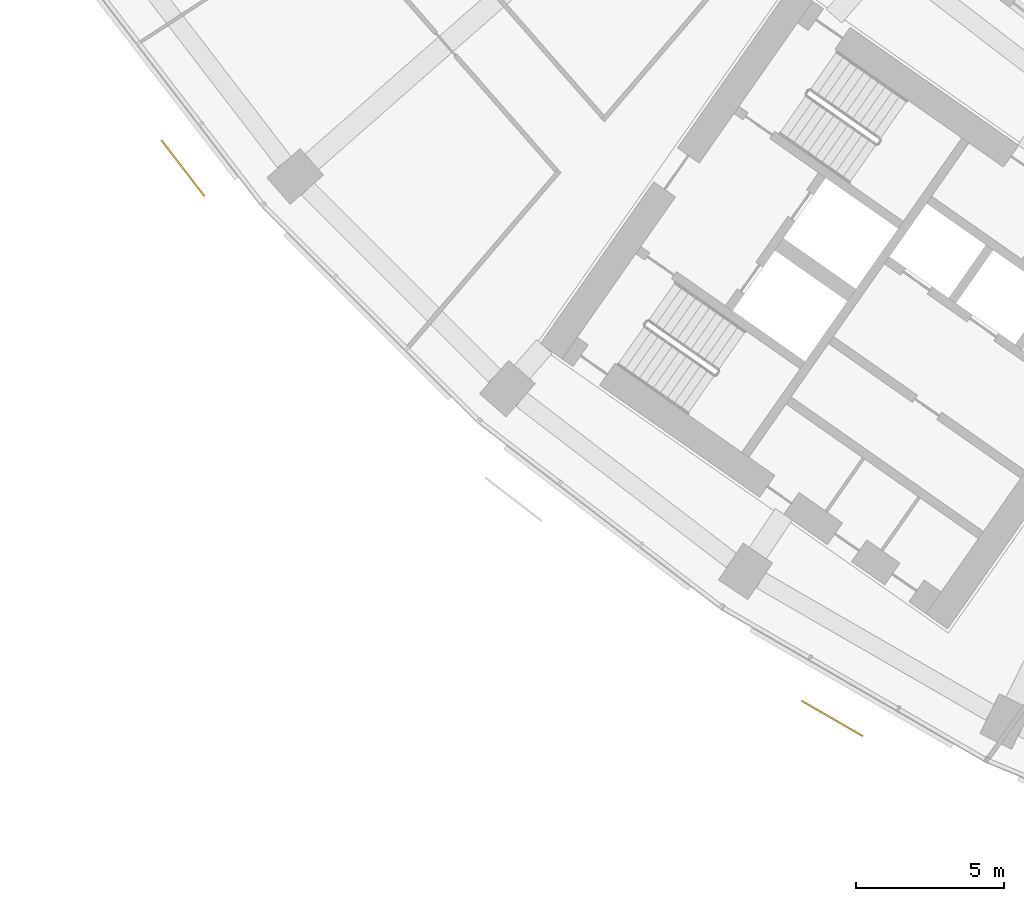
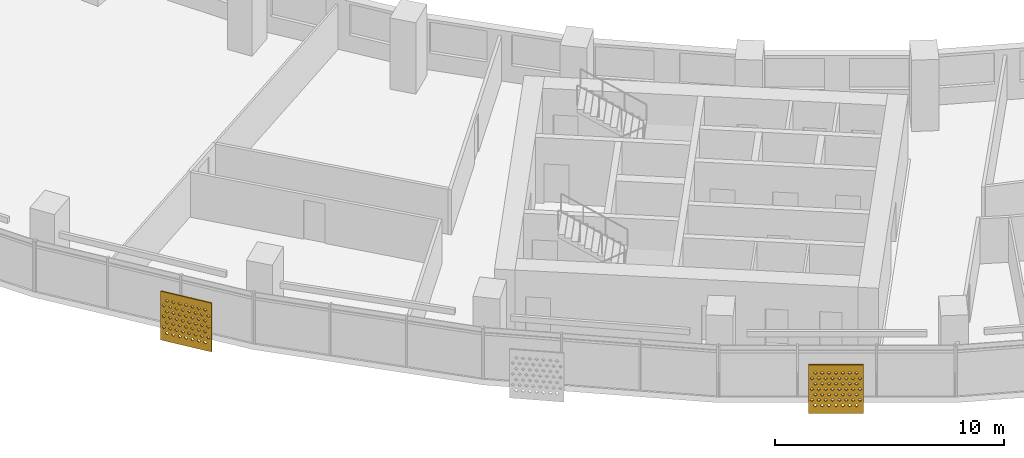
# One storey, part 23 of 29: 2 shading devices.
"""IFC4 building model written with IfcOpenShell, lengths in metres."""

from ifc_helpers import new_model, si_unit, direction, frame, origin, place, context, subcontext, project, spatial, polyline, outline, extrude, material, material_profile, profile_set, type_object, element, save


model = new_model("IFC4")

# Units and contexts
model_context = context("Model", 3, precision=1e-05, world=origin(), true_north=direction((0.0, 1.0)))
body_context = subcontext(model_context, "Body", "Model", "MODEL_VIEW")
ifc_project = project(units=[si_unit("LENGTHUNIT", "METRE"), si_unit("AREAUNIT", "SQUARE_METRE"), si_unit("VOLUMEUNIT", "CUBIC_METRE"), si_unit("PLANEANGLEUNIT", "RADIAN"), si_unit("MASSUNIT", "GRAM", prefix="KILO")], contexts=[model_context])

# Site, building, storey
site_placement = place(None, origin())
site = spatial("IfcSite", under=ifc_project, at=site_placement, CompositionType="ELEMENT")
building_placement = place(site_placement, origin())
building = spatial("IfcBuilding", under=site, at=building_placement, Name="Qamariyya Broadcast Tower", CompositionType="ELEMENT")
storey_placement = place(building_placement, frame((0.0, 0.0, 136.699951171875)))
storey = spatial("IfcBuildingStorey", under=building, at=storey_placement, Name="L31", CompositionType="ELEMENT", Elevation=136.699951171875)

# Shading devices
ifc_material = material(Name="Perforated glazed terracotta", Category="masonry")
ifc_material_profile = material_profile(ifc_material, outline(polyline([(-1.199951171875, -1.300048828125), (1.199951171875, -1.300048828125), (1.199951171875, 1.300048828125), (-1.199951171875, 1.300048828125), (-1.199951171875, -1.300048828125)]), holes=[polyline([(-0.81494140625, -0.86669921875), (-0.89990234375, -0.78173828125), (-0.985107421875, -0.86669921875), (-0.89990234375, -0.95166015625), (-0.81494140625, -0.86669921875)]), polyline([(-0.514892578125, -0.86669921875), (-0.60009765625, -0.78173828125), (-0.68505859375, -0.86669921875), (-0.60009765625, -0.95166015625), (-0.514892578125, -0.86669921875)]), polyline([(-0.215087890625, -0.86669921875), (-0.300048828125, -0.78173828125), (-0.385009765625, -0.86669921875), (-0.300048828125, -0.95166015625), (-0.215087890625, -0.86669921875)]), polyline([(0.0849609375, -0.86669921875), (0.0, -0.78173828125), (-0.0849609375, -0.86669921875), (0.0, -0.95166015625), (0.0849609375, -0.86669921875)]), polyline([(0.385009765625, -0.86669921875), (0.300048828125, -0.78173828125), (0.215087890625, -0.86669921875), (0.300048828125, -0.95166015625), (0.385009765625, -0.86669921875)]), polyline([(0.68505859375, -0.86669921875), (0.60009765625, -0.78173828125), (0.514892578125, -0.86669921875), (0.60009765625, -0.95166015625), (0.68505859375, -0.86669921875)]), polyline([(0.985107421875, -0.86669921875), (0.89990234375, -0.78173828125), (0.81494140625, -0.86669921875), (0.89990234375, -0.95166015625), (0.985107421875, -0.86669921875)]), polyline([(-0.965087890625, -0.577880859375), (-1.050048828125, -0.49267578125), (-1.135009765625, -0.577880859375), (-1.050048828125, -0.662841796875), (-0.965087890625, -0.577880859375)]), polyline([(-0.6650390625, -0.577880859375), (-0.75, -0.49267578125), (-0.8349609375, -0.577880859375), (-0.75, -0.662841796875), (-0.6650390625, -0.577880859375)]), polyline([(-0.364990234375, -0.577880859375), (-0.449951171875, -0.49267578125), (-0.534912109375, -0.577880859375), (-0.449951171875, -0.662841796875), (-0.364990234375, -0.577880859375)]), polyline([(-0.06494140625, -0.577880859375), (-0.14990234375, -0.49267578125), (-0.235107421875, -0.577880859375), (-0.14990234375, -0.662841796875), (-0.06494140625, -0.577880859375)]), polyline([(0.235107421875, -0.577880859375), (0.14990234375, -0.49267578125), (0.06494140625, -0.577880859375), (0.14990234375, -0.662841796875), (0.235107421875, -0.577880859375)]), polyline([(0.534912109375, -0.577880859375), (0.449951171875, -0.49267578125), (0.364990234375, -0.577880859375), (0.449951171875, -0.662841796875), (0.534912109375, -0.577880859375)]), polyline([(0.8349609375, -0.577880859375), (0.75, -0.49267578125), (0.6650390625, -0.577880859375), (0.75, -0.662841796875), (0.8349609375, -0.577880859375)]), polyline([(1.135009765625, -0.577880859375), (1.050048828125, -0.49267578125), (0.965087890625, -0.577880859375), (1.050048828125, -0.662841796875), (1.135009765625, -0.577880859375)]), polyline([(-0.81494140625, -0.288818359375), (-0.89990234375, -0.203857421875), (-0.985107421875, -0.288818359375), (-0.89990234375, -0.373779296875), (-0.81494140625, -0.288818359375)]), polyline([(-0.514892578125, -0.288818359375), (-0.60009765625, -0.203857421875), (-0.68505859375, -0.288818359375), (-0.60009765625, -0.373779296875), (-0.514892578125, -0.288818359375)]), polyline([(-0.215087890625, -0.288818359375), (-0.300048828125, -0.203857421875), (-0.385009765625, -0.288818359375), (-0.300048828125, -0.373779296875), (-0.215087890625, -0.288818359375)]), polyline([(0.0849609375, -0.288818359375), (0.0, -0.203857421875), (-0.0849609375, -0.288818359375), (0.0, -0.373779296875), (0.0849609375, -0.288818359375)]), polyline([(0.385009765625, -0.288818359375), (0.300048828125, -0.203857421875), (0.215087890625, -0.288818359375), (0.300048828125, -0.373779296875), (0.385009765625, -0.288818359375)]), polyline([(0.68505859375, -0.288818359375), (0.60009765625, -0.203857421875), (0.514892578125, -0.288818359375), (0.60009765625, -0.373779296875), (0.68505859375, -0.288818359375)]), polyline([(0.985107421875, -0.288818359375), (0.89990234375, -0.203857421875), (0.81494140625, -0.288818359375), (0.89990234375, -0.373779296875), (0.985107421875, -0.288818359375)]), polyline([(-0.965087890625, 0.0), (-1.050048828125, 0.0849609375), (-1.135009765625, 0.0), (-1.050048828125, -0.0849609375), (-0.965087890625, 0.0)]), polyline([(-0.6650390625, 0.0), (-0.75, 0.0849609375), (-0.8349609375, 0.0), (-0.75, -0.0849609375), (-0.6650390625, 0.0)]), polyline([(-0.364990234375, 0.0), (-0.449951171875, 0.0849609375), (-0.534912109375, 0.0), (-0.449951171875, -0.0849609375), (-0.364990234375, 0.0)]), polyline([(-0.06494140625, 0.0), (-0.14990234375, 0.0849609375), (-0.235107421875, 0.0), (-0.14990234375, -0.0849609375), (-0.06494140625, 0.0)]), polyline([(0.235107421875, 0.0), (0.14990234375, 0.0849609375), (0.06494140625, 0.0), (0.14990234375, -0.0849609375), (0.235107421875, 0.0)]), polyline([(0.534912109375, 0.0), (0.449951171875, 0.0849609375), (0.364990234375, 0.0), (0.449951171875, -0.0849609375), (0.534912109375, 0.0)]), polyline([(0.8349609375, 0.0), (0.75, 0.0849609375), (0.6650390625, 0.0), (0.75, -0.0849609375), (0.8349609375, 0.0)]), polyline([(1.135009765625, 0.0), (1.050048828125, 0.0849609375), (0.965087890625, 0.0), (1.050048828125, -0.0849609375), (1.135009765625, 0.0)]), polyline([(-0.81494140625, 0.288818359375), (-0.89990234375, 0.373779296875), (-0.985107421875, 0.288818359375), (-0.89990234375, 0.203857421875), (-0.81494140625, 0.288818359375)]), polyline([(-0.514892578125, 0.288818359375), (-0.60009765625, 0.373779296875), (-0.68505859375, 0.288818359375), (-0.60009765625, 0.203857421875), (-0.514892578125, 0.288818359375)]), polyline([(-0.215087890625, 0.288818359375), (-0.300048828125, 0.373779296875), (-0.385009765625, 0.288818359375), (-0.300048828125, 0.203857421875), (-0.215087890625, 0.288818359375)]), polyline([(0.0849609375, 0.288818359375), (0.0, 0.373779296875), (-0.0849609375, 0.288818359375), (0.0, 0.203857421875), (0.0849609375, 0.288818359375)]), polyline([(0.385009765625, 0.288818359375), (0.300048828125, 0.373779296875), (0.215087890625, 0.288818359375), (0.300048828125, 0.203857421875), (0.385009765625, 0.288818359375)]), polyline([(0.68505859375, 0.288818359375), (0.60009765625, 0.373779296875), (0.514892578125, 0.288818359375), (0.60009765625, 0.203857421875), (0.68505859375, 0.288818359375)]), polyline([(0.985107421875, 0.288818359375), (0.89990234375, 0.373779296875), (0.81494140625, 0.288818359375), (0.89990234375, 0.203857421875), (0.985107421875, 0.288818359375)]), polyline([(-0.965087890625, 0.577880859375), (-1.050048828125, 0.662841796875), (-1.135009765625, 0.577880859375), (-1.050048828125, 0.49267578125), (-0.965087890625, 0.577880859375)]), polyline([(-0.6650390625, 0.577880859375), (-0.75, 0.662841796875), (-0.8349609375, 0.577880859375), (-0.75, 0.49267578125), (-0.6650390625, 0.577880859375)]), polyline([(-0.364990234375, 0.577880859375), (-0.449951171875, 0.662841796875), (-0.534912109375, 0.577880859375), (-0.449951171875, 0.49267578125), (-0.364990234375, 0.577880859375)]), polyline([(-0.06494140625, 0.577880859375), (-0.14990234375, 0.662841796875), (-0.235107421875, 0.577880859375), (-0.14990234375, 0.49267578125), (-0.06494140625, 0.577880859375)]), polyline([(0.235107421875, 0.577880859375), (0.14990234375, 0.662841796875), (0.06494140625, 0.577880859375), (0.14990234375, 0.49267578125), (0.235107421875, 0.577880859375)]), polyline([(0.534912109375, 0.577880859375), (0.449951171875, 0.662841796875), (0.364990234375, 0.577880859375), (0.449951171875, 0.49267578125), (0.534912109375, 0.577880859375)]), polyline([(0.8349609375, 0.577880859375), (0.75, 0.662841796875), (0.6650390625, 0.577880859375), (0.75, 0.49267578125), (0.8349609375, 0.577880859375)]), polyline([(1.135009765625, 0.577880859375), (1.050048828125, 0.662841796875), (0.965087890625, 0.577880859375), (1.050048828125, 0.49267578125), (1.135009765625, 0.577880859375)]), polyline([(-0.81494140625, 0.86669921875), (-0.89990234375, 0.95166015625), (-0.985107421875, 0.86669921875), (-0.89990234375, 0.78173828125), (-0.81494140625, 0.86669921875)]), polyline([(-0.514892578125, 0.86669921875), (-0.60009765625, 0.95166015625), (-0.68505859375, 0.86669921875), (-0.60009765625, 0.78173828125), (-0.514892578125, 0.86669921875)]), polyline([(-0.215087890625, 0.86669921875), (-0.300048828125, 0.95166015625), (-0.385009765625, 0.86669921875), (-0.300048828125, 0.78173828125), (-0.215087890625, 0.86669921875)]), polyline([(0.0849609375, 0.86669921875), (0.0, 0.95166015625), (-0.0849609375, 0.86669921875), (0.0, 0.78173828125), (0.0849609375, 0.86669921875)]), polyline([(0.385009765625, 0.86669921875), (0.300048828125, 0.95166015625), (0.215087890625, 0.86669921875), (0.300048828125, 0.78173828125), (0.385009765625, 0.86669921875)]), polyline([(0.68505859375, 0.86669921875), (0.60009765625, 0.95166015625), (0.514892578125, 0.86669921875), (0.60009765625, 0.78173828125), (0.68505859375, 0.86669921875)]), polyline([(0.985107421875, 0.86669921875), (0.89990234375, 0.95166015625), (0.81494140625, 0.86669921875), (0.89990234375, 0.78173828125), (0.985107421875, 0.86669921875)])]))
ifc_profile_set = profile_set([ifc_material_profile], Name="Perforated glazed terracotta")
shading_device_type = type_object("IfcShadingDeviceType", Name="Perforated terracotta screen 2400 x 2600", PredefinedType="USERDEFINED", material=ifc_profile_set)
shading_device_1_placement = place(storey_placement, frame((-62.235595703125, -50.96484375, 1.35009765625), z_axis=(-0.792623989105, -0.60971076085, 0.0), x_axis=(0.60971076085, -0.792623989105, 0.0)))
element("IfcShadingDevice", 1, at=shading_device_1_placement, inside=storey, type_object=shading_device_type, Name="e-scr-L31-02-2", ObjectType="SCREEN", PredefinedType="USERDEFINED", context=body_context, shape_type="SweptSolid", body=[
    extrude(outline(polyline([(-1.199951171875, -1.300048828125), (1.199951171875, -1.300048828125), (1.199951171875, 1.300048828125), (-1.199951171875, 1.300048828125), (-1.199951171875, -1.300048828125)]), holes=[polyline([(-0.81494140625, -0.86669921875), (-0.89990234375, -0.78173828125), (-0.985107421875, -0.86669921875), (-0.89990234375, -0.95166015625), (-0.81494140625, -0.86669921875)]), polyline([(-0.514892578125, -0.86669921875), (-0.60009765625, -0.78173828125), (-0.68505859375, -0.86669921875), (-0.60009765625, -0.95166015625), (-0.514892578125, -0.86669921875)]), polyline([(-0.215087890625, -0.86669921875), (-0.300048828125, -0.78173828125), (-0.385009765625, -0.86669921875), (-0.300048828125, -0.95166015625), (-0.215087890625, -0.86669921875)]), polyline([(0.0849609375, -0.86669921875), (0.0, -0.78173828125), (-0.0849609375, -0.86669921875), (0.0, -0.95166015625), (0.0849609375, -0.86669921875)]), polyline([(0.385009765625, -0.86669921875), (0.300048828125, -0.78173828125), (0.215087890625, -0.86669921875), (0.300048828125, -0.95166015625), (0.385009765625, -0.86669921875)]), polyline([(0.68505859375, -0.86669921875), (0.60009765625, -0.78173828125), (0.514892578125, -0.86669921875), (0.60009765625, -0.95166015625), (0.68505859375, -0.86669921875)]), polyline([(0.985107421875, -0.86669921875), (0.89990234375, -0.78173828125), (0.81494140625, -0.86669921875), (0.89990234375, -0.95166015625), (0.985107421875, -0.86669921875)]), polyline([(-0.965087890625, -0.577880859375), (-1.050048828125, -0.49267578125), (-1.135009765625, -0.577880859375), (-1.050048828125, -0.662841796875), (-0.965087890625, -0.577880859375)]), polyline([(-0.6650390625, -0.577880859375), (-0.75, -0.49267578125), (-0.8349609375, -0.577880859375), (-0.75, -0.662841796875), (-0.6650390625, -0.577880859375)]), polyline([(-0.364990234375, -0.577880859375), (-0.449951171875, -0.49267578125), (-0.534912109375, -0.577880859375), (-0.449951171875, -0.662841796875), (-0.364990234375, -0.577880859375)]), polyline([(-0.06494140625, -0.577880859375), (-0.14990234375, -0.49267578125), (-0.235107421875, -0.577880859375), (-0.14990234375, -0.662841796875), (-0.06494140625, -0.577880859375)]), polyline([(0.235107421875, -0.577880859375), (0.14990234375, -0.49267578125), (0.06494140625, -0.577880859375), (0.14990234375, -0.662841796875), (0.235107421875, -0.577880859375)]), polyline([(0.534912109375, -0.577880859375), (0.449951171875, -0.49267578125), (0.364990234375, -0.577880859375), (0.449951171875, -0.662841796875), (0.534912109375, -0.577880859375)]), polyline([(0.8349609375, -0.577880859375), (0.75, -0.49267578125), (0.6650390625, -0.577880859375), (0.75, -0.662841796875), (0.8349609375, -0.577880859375)]), polyline([(1.135009765625, -0.577880859375), (1.050048828125, -0.49267578125), (0.965087890625, -0.577880859375), (1.050048828125, -0.662841796875), (1.135009765625, -0.577880859375)]), polyline([(-0.81494140625, -0.288818359375), (-0.89990234375, -0.203857421875), (-0.985107421875, -0.288818359375), (-0.89990234375, -0.373779296875), (-0.81494140625, -0.288818359375)]), polyline([(-0.514892578125, -0.288818359375), (-0.60009765625, -0.203857421875), (-0.68505859375, -0.288818359375), (-0.60009765625, -0.373779296875), (-0.514892578125, -0.288818359375)]), polyline([(-0.215087890625, -0.288818359375), (-0.300048828125, -0.203857421875), (-0.385009765625, -0.288818359375), (-0.300048828125, -0.373779296875), (-0.215087890625, -0.288818359375)]), polyline([(0.0849609375, -0.288818359375), (0.0, -0.203857421875), (-0.0849609375, -0.288818359375), (0.0, -0.373779296875), (0.0849609375, -0.288818359375)]), polyline([(0.385009765625, -0.288818359375), (0.300048828125, -0.203857421875), (0.215087890625, -0.288818359375), (0.300048828125, -0.373779296875), (0.385009765625, -0.288818359375)]), polyline([(0.68505859375, -0.288818359375), (0.60009765625, -0.203857421875), (0.514892578125, -0.288818359375), (0.60009765625, -0.373779296875), (0.68505859375, -0.288818359375)]), polyline([(0.985107421875, -0.288818359375), (0.89990234375, -0.203857421875), (0.81494140625, -0.288818359375), (0.89990234375, -0.373779296875), (0.985107421875, -0.288818359375)]), polyline([(-0.965087890625, 0.0), (-1.050048828125, 0.0849609375), (-1.135009765625, 0.0), (-1.050048828125, -0.0849609375), (-0.965087890625, 0.0)]), polyline([(-0.6650390625, 0.0), (-0.75, 0.0849609375), (-0.8349609375, 0.0), (-0.75, -0.0849609375), (-0.6650390625, 0.0)]), polyline([(-0.364990234375, 0.0), (-0.449951171875, 0.0849609375), (-0.534912109375, 0.0), (-0.449951171875, -0.0849609375), (-0.364990234375, 0.0)]), polyline([(-0.06494140625, 0.0), (-0.14990234375, 0.0849609375), (-0.235107421875, 0.0), (-0.14990234375, -0.0849609375), (-0.06494140625, 0.0)]), polyline([(0.235107421875, 0.0), (0.14990234375, 0.0849609375), (0.06494140625, 0.0), (0.14990234375, -0.0849609375), (0.235107421875, 0.0)]), polyline([(0.534912109375, 0.0), (0.449951171875, 0.0849609375), (0.364990234375, 0.0), (0.449951171875, -0.0849609375), (0.534912109375, 0.0)]), polyline([(0.8349609375, 0.0), (0.75, 0.0849609375), (0.6650390625, 0.0), (0.75, -0.0849609375), (0.8349609375, 0.0)]), polyline([(1.135009765625, 0.0), (1.050048828125, 0.0849609375), (0.965087890625, 0.0), (1.050048828125, -0.0849609375), (1.135009765625, 0.0)]), polyline([(-0.81494140625, 0.288818359375), (-0.89990234375, 0.373779296875), (-0.985107421875, 0.288818359375), (-0.89990234375, 0.203857421875), (-0.81494140625, 0.288818359375)]), polyline([(-0.514892578125, 0.288818359375), (-0.60009765625, 0.373779296875), (-0.68505859375, 0.288818359375), (-0.60009765625, 0.203857421875), (-0.514892578125, 0.288818359375)]), polyline([(-0.215087890625, 0.288818359375), (-0.300048828125, 0.373779296875), (-0.385009765625, 0.288818359375), (-0.300048828125, 0.203857421875), (-0.215087890625, 0.288818359375)]), polyline([(0.0849609375, 0.288818359375), (0.0, 0.373779296875), (-0.0849609375, 0.288818359375), (0.0, 0.203857421875), (0.0849609375, 0.288818359375)]), polyline([(0.385009765625, 0.288818359375), (0.300048828125, 0.373779296875), (0.215087890625, 0.288818359375), (0.300048828125, 0.203857421875), (0.385009765625, 0.288818359375)]), polyline([(0.68505859375, 0.288818359375), (0.60009765625, 0.373779296875), (0.514892578125, 0.288818359375), (0.60009765625, 0.203857421875), (0.68505859375, 0.288818359375)]), polyline([(0.985107421875, 0.288818359375), (0.89990234375, 0.373779296875), (0.81494140625, 0.288818359375), (0.89990234375, 0.203857421875), (0.985107421875, 0.288818359375)]), polyline([(-0.965087890625, 0.577880859375), (-1.050048828125, 0.662841796875), (-1.135009765625, 0.577880859375), (-1.050048828125, 0.49267578125), (-0.965087890625, 0.577880859375)]), polyline([(-0.6650390625, 0.577880859375), (-0.75, 0.662841796875), (-0.8349609375, 0.577880859375), (-0.75, 0.49267578125), (-0.6650390625, 0.577880859375)]), polyline([(-0.364990234375, 0.577880859375), (-0.449951171875, 0.662841796875), (-0.534912109375, 0.577880859375), (-0.449951171875, 0.49267578125), (-0.364990234375, 0.577880859375)]), polyline([(-0.06494140625, 0.577880859375), (-0.14990234375, 0.662841796875), (-0.235107421875, 0.577880859375), (-0.14990234375, 0.49267578125), (-0.06494140625, 0.577880859375)]), polyline([(0.235107421875, 0.577880859375), (0.14990234375, 0.662841796875), (0.06494140625, 0.577880859375), (0.14990234375, 0.49267578125), (0.235107421875, 0.577880859375)]), polyline([(0.534912109375, 0.577880859375), (0.449951171875, 0.662841796875), (0.364990234375, 0.577880859375), (0.449951171875, 0.49267578125), (0.534912109375, 0.577880859375)]), polyline([(0.8349609375, 0.577880859375), (0.75, 0.662841796875), (0.6650390625, 0.577880859375), (0.75, 0.49267578125), (0.8349609375, 0.577880859375)]), polyline([(1.135009765625, 0.577880859375), (1.050048828125, 0.662841796875), (0.965087890625, 0.577880859375), (1.050048828125, 0.49267578125), (1.135009765625, 0.577880859375)]), polyline([(-0.81494140625, 0.86669921875), (-0.89990234375, 0.95166015625), (-0.985107421875, 0.86669921875), (-0.89990234375, 0.78173828125), (-0.81494140625, 0.86669921875)]), polyline([(-0.514892578125, 0.86669921875), (-0.60009765625, 0.95166015625), (-0.68505859375, 0.86669921875), (-0.60009765625, 0.78173828125), (-0.514892578125, 0.86669921875)]), polyline([(-0.215087890625, 0.86669921875), (-0.300048828125, 0.95166015625), (-0.385009765625, 0.86669921875), (-0.300048828125, 0.78173828125), (-0.215087890625, 0.86669921875)]), polyline([(0.0849609375, 0.86669921875), (0.0, 0.95166015625), (-0.0849609375, 0.86669921875), (0.0, 0.78173828125), (0.0849609375, 0.86669921875)]), polyline([(0.385009765625, 0.86669921875), (0.300048828125, 0.95166015625), (0.215087890625, 0.86669921875), (0.300048828125, 0.78173828125), (0.385009765625, 0.86669921875)]), polyline([(0.68505859375, 0.86669921875), (0.60009765625, 0.95166015625), (0.514892578125, 0.86669921875), (0.60009765625, 0.78173828125), (0.68505859375, 0.86669921875)]), polyline([(0.985107421875, 0.86669921875), (0.89990234375, 0.95166015625), (0.81494140625, 0.86669921875), (0.89990234375, 0.78173828125), (0.985107421875, 0.86669921875)])]), origin(), (0.0, 0.0, 1.0), 0.06005859375),
])
shading_device_2_placement = place(storey_placement, frame((-40.240478515625, -69.605224609375, 1.35009765625), z_axis=(-0.500074377092, -0.865982457891, 0.0), x_axis=(0.865982457891, -0.500074377092, 0.0)))
element("IfcShadingDevice", 2, at=shading_device_2_placement, inside=storey, type_object=shading_device_type, Name="e-scr-L31-05-1", ObjectType="SCREEN", PredefinedType="USERDEFINED", context=body_context, shape_type="SweptSolid", body=[
    extrude(outline(polyline([(-1.199951171875, -1.300048828125), (1.199951171875, -1.300048828125), (1.199951171875, 1.300048828125), (-1.199951171875, 1.300048828125), (-1.199951171875, -1.300048828125)]), holes=[polyline([(-0.81494140625, -0.86669921875), (-0.89990234375, -0.78173828125), (-0.985107421875, -0.86669921875), (-0.89990234375, -0.95166015625), (-0.81494140625, -0.86669921875)]), polyline([(-0.514892578125, -0.86669921875), (-0.60009765625, -0.78173828125), (-0.68505859375, -0.86669921875), (-0.60009765625, -0.95166015625), (-0.514892578125, -0.86669921875)]), polyline([(-0.215087890625, -0.86669921875), (-0.300048828125, -0.78173828125), (-0.385009765625, -0.86669921875), (-0.300048828125, -0.95166015625), (-0.215087890625, -0.86669921875)]), polyline([(0.0849609375, -0.86669921875), (0.0, -0.78173828125), (-0.0849609375, -0.86669921875), (0.0, -0.95166015625), (0.0849609375, -0.86669921875)]), polyline([(0.385009765625, -0.86669921875), (0.300048828125, -0.78173828125), (0.215087890625, -0.86669921875), (0.300048828125, -0.95166015625), (0.385009765625, -0.86669921875)]), polyline([(0.68505859375, -0.86669921875), (0.60009765625, -0.78173828125), (0.514892578125, -0.86669921875), (0.60009765625, -0.95166015625), (0.68505859375, -0.86669921875)]), polyline([(0.985107421875, -0.86669921875), (0.89990234375, -0.78173828125), (0.81494140625, -0.86669921875), (0.89990234375, -0.95166015625), (0.985107421875, -0.86669921875)]), polyline([(-0.965087890625, -0.577880859375), (-1.050048828125, -0.49267578125), (-1.135009765625, -0.577880859375), (-1.050048828125, -0.662841796875), (-0.965087890625, -0.577880859375)]), polyline([(-0.6650390625, -0.577880859375), (-0.75, -0.49267578125), (-0.8349609375, -0.577880859375), (-0.75, -0.662841796875), (-0.6650390625, -0.577880859375)]), polyline([(-0.364990234375, -0.577880859375), (-0.449951171875, -0.49267578125), (-0.534912109375, -0.577880859375), (-0.449951171875, -0.662841796875), (-0.364990234375, -0.577880859375)]), polyline([(-0.06494140625, -0.577880859375), (-0.14990234375, -0.49267578125), (-0.235107421875, -0.577880859375), (-0.14990234375, -0.662841796875), (-0.06494140625, -0.577880859375)]), polyline([(0.235107421875, -0.577880859375), (0.14990234375, -0.49267578125), (0.06494140625, -0.577880859375), (0.14990234375, -0.662841796875), (0.235107421875, -0.577880859375)]), polyline([(0.534912109375, -0.577880859375), (0.449951171875, -0.49267578125), (0.364990234375, -0.577880859375), (0.449951171875, -0.662841796875), (0.534912109375, -0.577880859375)]), polyline([(0.8349609375, -0.577880859375), (0.75, -0.49267578125), (0.6650390625, -0.577880859375), (0.75, -0.662841796875), (0.8349609375, -0.577880859375)]), polyline([(1.135009765625, -0.577880859375), (1.050048828125, -0.49267578125), (0.965087890625, -0.577880859375), (1.050048828125, -0.662841796875), (1.135009765625, -0.577880859375)]), polyline([(-0.81494140625, -0.288818359375), (-0.89990234375, -0.203857421875), (-0.985107421875, -0.288818359375), (-0.89990234375, -0.373779296875), (-0.81494140625, -0.288818359375)]), polyline([(-0.514892578125, -0.288818359375), (-0.60009765625, -0.203857421875), (-0.68505859375, -0.288818359375), (-0.60009765625, -0.373779296875), (-0.514892578125, -0.288818359375)]), polyline([(-0.215087890625, -0.288818359375), (-0.300048828125, -0.203857421875), (-0.385009765625, -0.288818359375), (-0.300048828125, -0.373779296875), (-0.215087890625, -0.288818359375)]), polyline([(0.0849609375, -0.288818359375), (0.0, -0.203857421875), (-0.0849609375, -0.288818359375), (0.0, -0.373779296875), (0.0849609375, -0.288818359375)]), polyline([(0.385009765625, -0.288818359375), (0.300048828125, -0.203857421875), (0.215087890625, -0.288818359375), (0.300048828125, -0.373779296875), (0.385009765625, -0.288818359375)]), polyline([(0.68505859375, -0.288818359375), (0.60009765625, -0.203857421875), (0.514892578125, -0.288818359375), (0.60009765625, -0.373779296875), (0.68505859375, -0.288818359375)]), polyline([(0.985107421875, -0.288818359375), (0.89990234375, -0.203857421875), (0.81494140625, -0.288818359375), (0.89990234375, -0.373779296875), (0.985107421875, -0.288818359375)]), polyline([(-0.965087890625, 0.0), (-1.050048828125, 0.0849609375), (-1.135009765625, 0.0), (-1.050048828125, -0.0849609375), (-0.965087890625, 0.0)]), polyline([(-0.6650390625, 0.0), (-0.75, 0.0849609375), (-0.8349609375, 0.0), (-0.75, -0.0849609375), (-0.6650390625, 0.0)]), polyline([(-0.364990234375, 0.0), (-0.449951171875, 0.0849609375), (-0.534912109375, 0.0), (-0.449951171875, -0.0849609375), (-0.364990234375, 0.0)]), polyline([(-0.06494140625, 0.0), (-0.14990234375, 0.0849609375), (-0.235107421875, 0.0), (-0.14990234375, -0.0849609375), (-0.06494140625, 0.0)]), polyline([(0.235107421875, 0.0), (0.14990234375, 0.0849609375), (0.06494140625, 0.0), (0.14990234375, -0.0849609375), (0.235107421875, 0.0)]), polyline([(0.534912109375, 0.0), (0.449951171875, 0.0849609375), (0.364990234375, 0.0), (0.449951171875, -0.0849609375), (0.534912109375, 0.0)]), polyline([(0.8349609375, 0.0), (0.75, 0.0849609375), (0.6650390625, 0.0), (0.75, -0.0849609375), (0.8349609375, 0.0)]), polyline([(1.135009765625, 0.0), (1.050048828125, 0.0849609375), (0.965087890625, 0.0), (1.050048828125, -0.0849609375), (1.135009765625, 0.0)]), polyline([(-0.81494140625, 0.288818359375), (-0.89990234375, 0.373779296875), (-0.985107421875, 0.288818359375), (-0.89990234375, 0.203857421875), (-0.81494140625, 0.288818359375)]), polyline([(-0.514892578125, 0.288818359375), (-0.60009765625, 0.373779296875), (-0.68505859375, 0.288818359375), (-0.60009765625, 0.203857421875), (-0.514892578125, 0.288818359375)]), polyline([(-0.215087890625, 0.288818359375), (-0.300048828125, 0.373779296875), (-0.385009765625, 0.288818359375), (-0.300048828125, 0.203857421875), (-0.215087890625, 0.288818359375)]), polyline([(0.0849609375, 0.288818359375), (0.0, 0.373779296875), (-0.0849609375, 0.288818359375), (0.0, 0.203857421875), (0.0849609375, 0.288818359375)]), polyline([(0.385009765625, 0.288818359375), (0.300048828125, 0.373779296875), (0.215087890625, 0.288818359375), (0.300048828125, 0.203857421875), (0.385009765625, 0.288818359375)]), polyline([(0.68505859375, 0.288818359375), (0.60009765625, 0.373779296875), (0.514892578125, 0.288818359375), (0.60009765625, 0.203857421875), (0.68505859375, 0.288818359375)]), polyline([(0.985107421875, 0.288818359375), (0.89990234375, 0.373779296875), (0.81494140625, 0.288818359375), (0.89990234375, 0.203857421875), (0.985107421875, 0.288818359375)]), polyline([(-0.965087890625, 0.577880859375), (-1.050048828125, 0.662841796875), (-1.135009765625, 0.577880859375), (-1.050048828125, 0.49267578125), (-0.965087890625, 0.577880859375)]), polyline([(-0.6650390625, 0.577880859375), (-0.75, 0.662841796875), (-0.8349609375, 0.577880859375), (-0.75, 0.49267578125), (-0.6650390625, 0.577880859375)]), polyline([(-0.364990234375, 0.577880859375), (-0.449951171875, 0.662841796875), (-0.534912109375, 0.577880859375), (-0.449951171875, 0.49267578125), (-0.364990234375, 0.577880859375)]), polyline([(-0.06494140625, 0.577880859375), (-0.14990234375, 0.662841796875), (-0.235107421875, 0.577880859375), (-0.14990234375, 0.49267578125), (-0.06494140625, 0.577880859375)]), polyline([(0.235107421875, 0.577880859375), (0.14990234375, 0.662841796875), (0.06494140625, 0.577880859375), (0.14990234375, 0.49267578125), (0.235107421875, 0.577880859375)]), polyline([(0.534912109375, 0.577880859375), (0.449951171875, 0.662841796875), (0.364990234375, 0.577880859375), (0.449951171875, 0.49267578125), (0.534912109375, 0.577880859375)]), polyline([(0.8349609375, 0.577880859375), (0.75, 0.662841796875), (0.6650390625, 0.577880859375), (0.75, 0.49267578125), (0.8349609375, 0.577880859375)]), polyline([(1.135009765625, 0.577880859375), (1.050048828125, 0.662841796875), (0.965087890625, 0.577880859375), (1.050048828125, 0.49267578125), (1.135009765625, 0.577880859375)]), polyline([(-0.81494140625, 0.86669921875), (-0.89990234375, 0.95166015625), (-0.985107421875, 0.86669921875), (-0.89990234375, 0.78173828125), (-0.81494140625, 0.86669921875)]), polyline([(-0.514892578125, 0.86669921875), (-0.60009765625, 0.95166015625), (-0.68505859375, 0.86669921875), (-0.60009765625, 0.78173828125), (-0.514892578125, 0.86669921875)]), polyline([(-0.215087890625, 0.86669921875), (-0.300048828125, 0.95166015625), (-0.385009765625, 0.86669921875), (-0.300048828125, 0.78173828125), (-0.215087890625, 0.86669921875)]), polyline([(0.0849609375, 0.86669921875), (0.0, 0.95166015625), (-0.0849609375, 0.86669921875), (0.0, 0.78173828125), (0.0849609375, 0.86669921875)]), polyline([(0.385009765625, 0.86669921875), (0.300048828125, 0.95166015625), (0.215087890625, 0.86669921875), (0.300048828125, 0.78173828125), (0.385009765625, 0.86669921875)]), polyline([(0.68505859375, 0.86669921875), (0.60009765625, 0.95166015625), (0.514892578125, 0.86669921875), (0.60009765625, 0.78173828125), (0.68505859375, 0.86669921875)]), polyline([(0.985107421875, 0.86669921875), (0.89990234375, 0.95166015625), (0.81494140625, 0.86669921875), (0.89990234375, 0.78173828125), (0.985107421875, 0.86669921875)])]), origin(), (0.0, 0.0, 1.0), 0.06005859375),
])

save(model, "model.ifc")
